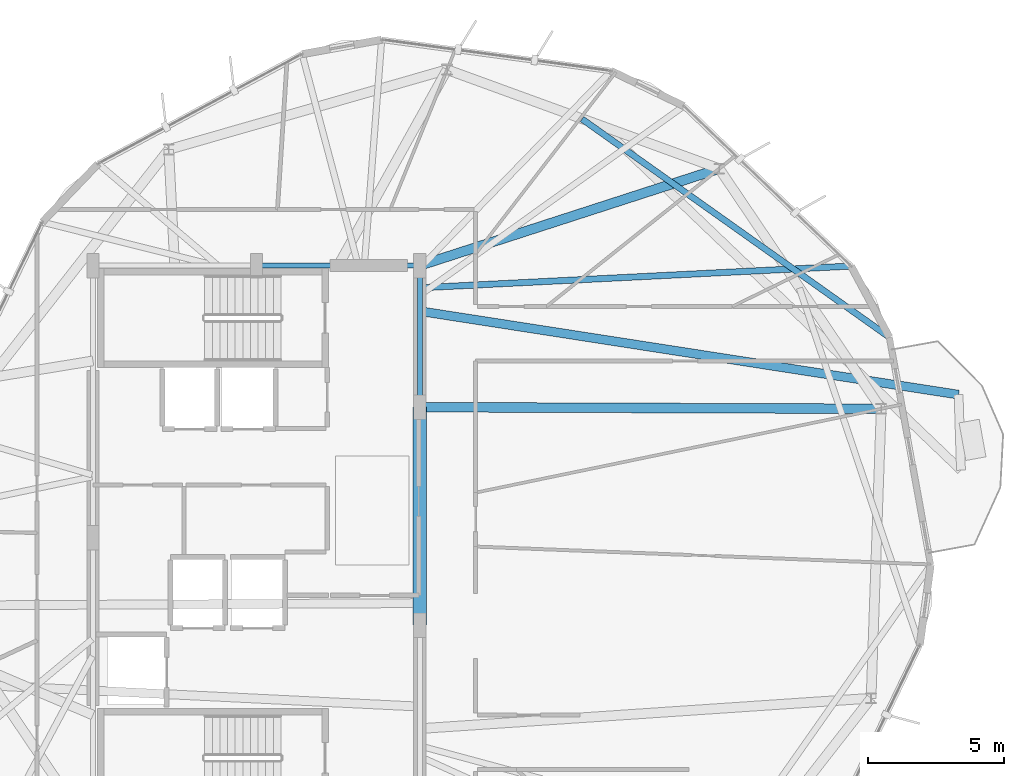
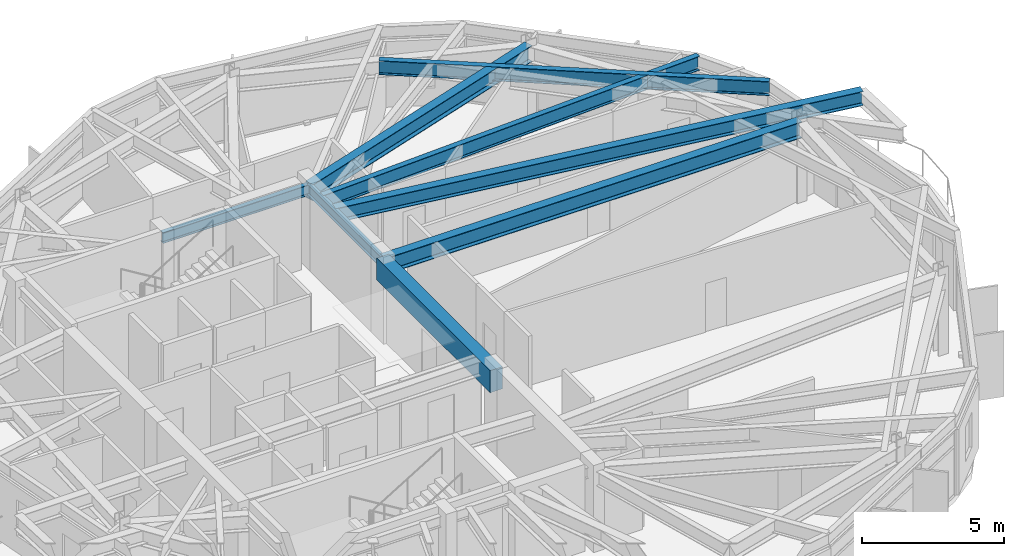
# One storey, part 10 of 26: 8 beams.
"""IFC4 building model written with IfcOpenShell, lengths in metres."""

from ifc_helpers import new_model, si_unit, direction, frame, origin, origin_2d, place, context, subcontext, project, spatial, rectangle, i_section, extrude, material, material_profile, profile_set, type_object, element, save


model = new_model("IFC4")

# Units and contexts
model_context = context("Model", 3, precision=1e-05, world=origin(), true_north=direction((0.0, 1.0)))
body_context = subcontext(model_context, "Body", "Model", "MODEL_VIEW")
ifc_project = project(units=[si_unit("LENGTHUNIT", "METRE"), si_unit("AREAUNIT", "SQUARE_METRE"), si_unit("VOLUMEUNIT", "CUBIC_METRE"), si_unit("PLANEANGLEUNIT", "RADIAN"), si_unit("MASSUNIT", "GRAM", prefix="KILO")], contexts=[model_context])

# Site, building, storey
site_placement = place(None, origin())
site = spatial("IfcSite", under=ifc_project, at=site_placement, CompositionType="ELEMENT")
building_placement = place(site_placement, origin())
building = spatial("IfcBuilding", under=site, at=building_placement, Name="Soratama Intermodal Tower", CompositionType="ELEMENT")
storey_placement = place(building_placement, frame((0.0, 0.0, 268.75)))
storey = spatial("IfcBuildingStorey", under=building, at=storey_placement, Name="L68", CompositionType="ELEMENT", Elevation=268.75)

# Beams
ifc_material_1 = material(Name="Structural steel ASTM A992 Grade 50", Category="steel")
ifc_material_profile_1 = material_profile(ifc_material_1, i_section(OverallWidth=0.324951171875, OverallDepth=0.615966796875, WebThickness=0.013916015625, FlangeThickness=0.021484375, FilletRadius=0.013916015625, at=origin_2d()), Name="W24X117")
ifc_profile_set_1 = profile_set([ifc_material_profile_1], Name="Structural steel ASTM A992 Grade 50")
beam_type_1 = type_object("IfcBeamType", Name="BM-CANT-W24X117", PredefinedType="BEAM", material=ifc_profile_set_1)
beam_1_placement = place(storey_placement, frame((44.639892578125, 33.319091796875, 3.14208984375), z_axis=(0.988191238859, -0.153225570457, 0.0), x_axis=(0.153225570457, 0.988191238859, 0.0)))
element("IfcBeam", 1, at=beam_1_placement, inside=storey, type_object=beam_type_1, Name="BM-L68-CANT-1-2", PredefinedType="BEAM", context=body_context, shape_type="SweptSolid", body=[
    extrude(i_section(OverallWidth=0.324951171875, OverallDepth=0.615966796875, WebThickness=0.013916015625, FlangeThickness=0.021484375, FilletRadius=0.013916015625, at=origin_2d()), origin(), (0.0, 0.0, 1.0), 19.970947265625),
])
ifc_material_2 = material(Name="Concrete f'c 56 MPa", Category="concrete")
ifc_material_profile_2 = material_profile(ifc_material_2, rectangle(XDim=0.5, YDim=0.949951171875, at=origin_2d()), Name="RC500X950")
ifc_profile_set_2 = profile_set([ifc_material_profile_2], Name="Concrete f'c 56 MPa")
beam_type_2 = type_object("IfcBeamType", Name="BM-CPL-RC500X950", PredefinedType="BEAM", material=ifc_profile_set_2)
beam_2_placement = place(storey_placement, frame((44.60009765625, 21.800048828125, 2.97509765625), z_axis=(0.0, 1.0, 0.0), x_axis=(-1.0, 0.0, 0.0)))
element("IfcBeam", 2, at=beam_2_placement, inside=storey, type_object=beam_type_2, Name="L68 Core Coupling Beam East", PredefinedType="BEAM", context=body_context, shape_type="SweptSolid", body=[
    extrude(rectangle(XDim=0.5, YDim=0.949951171875, at=origin_2d()), origin(), (0.0, 0.0, 1.0), 8.0),
])
ifc_material_3 = material(Name="Structural steel ASTM A992 Grade 50", Category="steel")
ifc_material_profile_3 = material_profile(ifc_material_3, i_section(OverallWidth=0.19091796875, OverallDepth=0.4599609375, WebThickness=0.010009765625, FlangeThickness=0.01611328125, FilletRadius=0.010986328125, at=origin_2d()), Name="W18X55")
ifc_profile_set_3 = profile_set([ifc_material_profile_3], Name="Structural steel ASTM A992 Grade 50")
beam_type_3 = type_object("IfcBeamType", Name="BM-FLR-W18X55", PredefinedType="BEAM", material=ifc_profile_set_3)
beam_3_placement = place(storey_placement, frame((44.60009765625, 29.800048828125, 3.219970703125), z_axis=(0.0, 1.0, 0.0), x_axis=(-1.0, 0.0, 0.0)))
element("IfcBeam", 3, at=beam_3_placement, inside=storey, type_object=beam_type_3, Name="BM-L68-CRING-05", PredefinedType="BEAM", context=body_context, shape_type="SweptSolid", body=[
    extrude(i_section(OverallWidth=0.19091796875, OverallDepth=0.4599609375, WebThickness=0.010009765625, FlangeThickness=0.01611328125, FilletRadius=0.010986328125, at=origin_2d()), origin(), (0.0, 0.0, 1.0), 5.199951171875),
])
beam_4_placement = place(storey_placement, frame((44.60009765625, 35.0, 3.219970703125), z_axis=(-1.0, 0.0, 0.0), x_axis=(0.0, -1.0, 0.0)))
element("IfcBeam", 4, at=beam_4_placement, inside=storey, type_object=beam_type_3, Name="BM-L68-CRING-06", PredefinedType="BEAM", context=body_context, shape_type="SweptSolid", body=[
    extrude(i_section(OverallWidth=0.19091796875, OverallDepth=0.4599609375, WebThickness=0.010009765625, FlangeThickness=0.01611328125, FilletRadius=0.010986328125, at=origin_2d()), origin(), (0.0, 0.0, 1.0), 6.0),
])
ifc_material_4 = material(Name="Structural steel ASTM A992 Grade 50", Category="steel")
ifc_material_profile_4 = material_profile(ifc_material_4, i_section(OverallWidth=0.35498046875, OverallDepth=0.695068359375, WebThickness=0.015380859375, FlangeThickness=0.02490234375, FilletRadius=0.01611328125, at=origin_2d()), Name="W27X146")
ifc_profile_set_4 = profile_set([ifc_material_profile_4], Name="Structural steel ASTM A992 Grade 50")
beam_type_4 = type_object("IfcBeamType", Name="BM-RING-W27X146", PredefinedType="BEAM", material=ifc_profile_set_4)
beam_5_placement = place(storey_placement, frame((44.60009765625, 29.800048828125, 3.1025390625), z_axis=(0.999993913522, -0.003488971138, 0.0), x_axis=(0.003488971138, 0.999993913522, 0.0)))
element("IfcBeam", 5, at=beam_5_placement, inside=storey, type_object=beam_type_4, Name="BM-L68-RAD-01", PredefinedType="BEAM", context=body_context, shape_type="SweptSolid", body=[
    extrude(i_section(OverallWidth=0.35498046875, OverallDepth=0.695068359375, WebThickness=0.015380859375, FlangeThickness=0.02490234375, FilletRadius=0.01611328125, at=origin_2d()), origin(), (0.0, 0.0, 1.0), 16.933837890625),
])
beam_6_placement = place(storey_placement, frame((44.60009765625, 35.0, 3.1025390625), z_axis=(0.95147783512, 0.307717287904, 0.0), x_axis=(-0.307717287904, 0.95147783512, 0.0)))
element("IfcBeam", 6, at=beam_6_placement, inside=storey, type_object=beam_type_4, Name="BM-L68-RAD-02", PredefinedType="BEAM", context=body_context, shape_type="SweptSolid", body=[
    extrude(i_section(OverallWidth=0.35498046875, OverallDepth=0.695068359375, WebThickness=0.015380859375, FlangeThickness=0.02490234375, FilletRadius=0.01611328125, at=origin_2d()), origin(), (0.0, 0.0, 1.0), 11.54931640625),
])
ifc_material_5 = material(Name="Structural steel ASTM A992 Grade 50", Category="steel")
ifc_material_profile_5 = material_profile(ifc_material_5, i_section(OverallWidth=0.22900390625, OverallDepth=0.612060546875, WebThickness=0.011962890625, FlangeThickness=0.01953125, FilletRadius=0.012939453125, at=origin_2d()), Name="W24X84")
ifc_profile_set_5 = profile_set([ifc_material_profile_5], Name="Structural steel ASTM A992 Grade 50")
beam_type_5 = type_object("IfcBeamType", Name="BM-TIE-W24X84", PredefinedType="BEAM", material=ifc_profile_set_5)
beam_7_placement = place(storey_placement, frame((50.555908203125, 40.3740234375, 3.14404296875), z_axis=(0.815466032972, -0.578804931794, 0.0), x_axis=(0.578804931794, 0.815466032972, 0.0)))
element("IfcBeam", 7, at=beam_7_placement, inside=storey, type_object=beam_type_5, Name="BM-L68-TIE1-09", PredefinedType="BEAM", context=body_context, shape_type="SweptSolid", body=[
    extrude(i_section(OverallWidth=0.22900390625, OverallDepth=0.612060546875, WebThickness=0.011962890625, FlangeThickness=0.01953125, FilletRadius=0.012939453125, at=origin_2d()), origin(), (0.0, 0.0, 1.0), 13.833740234375),
])
beam_8_placement = place(storey_placement, frame((44.639892578125, 34.18310546875, 3.14404296875), z_axis=(0.998729285, 0.050396580085, 0.0), x_axis=(-0.050396580085, 0.998729285, 0.0)))
element("IfcBeam", 8, at=beam_8_placement, inside=storey, type_object=beam_type_5, Name="BM-L68-TIE0-10", PredefinedType="BEAM", context=body_context, shape_type="SweptSolid", body=[
    extrude(i_section(OverallWidth=0.22900390625, OverallDepth=0.612060546875, WebThickness=0.011962890625, FlangeThickness=0.01953125, FilletRadius=0.012939453125, at=origin_2d()), origin(), (0.0, 0.0, 1.0), 15.81201171875),
])

save(model, "model.ifc")
